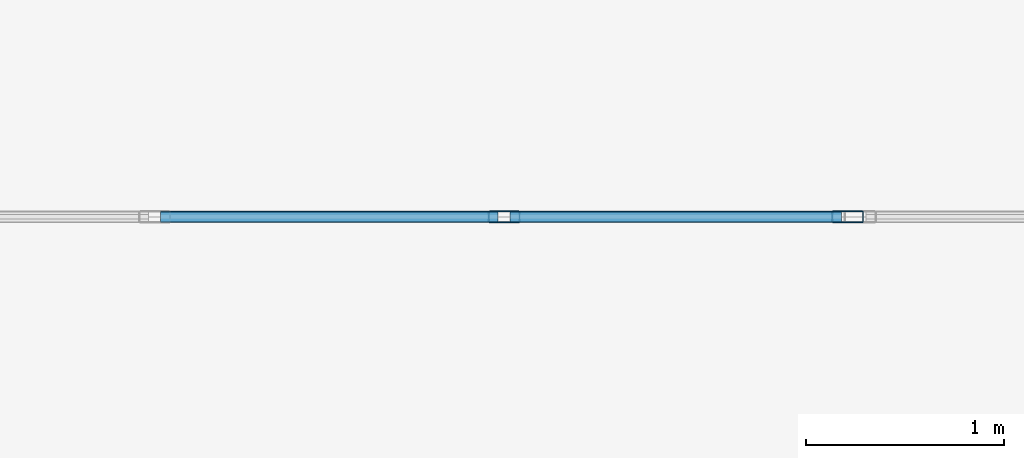
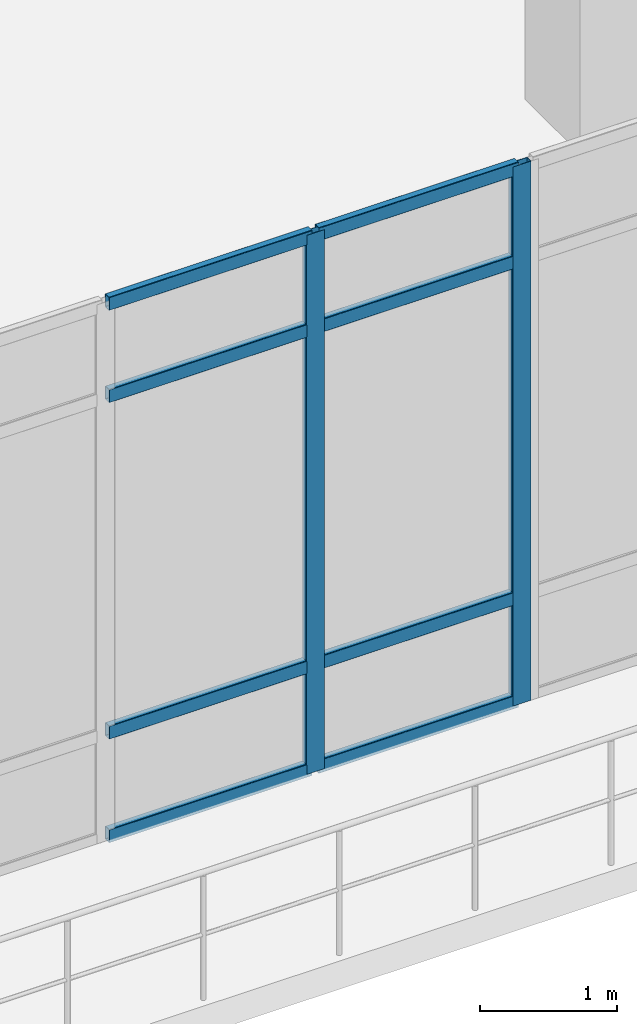
# One storey, part 11 of 124: 10 members, 1 element without a shape of its own.
"""IFC4 building model written with IfcOpenShell, lengths in metres."""

import ifcopenshell
import ifcopenshell.guid

model = None  # the IFC model being written
_history = None  # IfcOwnerHistory: only IFC2X3 demands one
_inside = {}  # id of a spatial element -> (the spatial element, [elements in it])
_under = {}  # id of a project, library or spatial element -> (it, [spatial elements below it])
_declared = {}  # id of a project -> (the project, [libraries it declares])
_typed = {}  # id of a type object -> (the type object, [elements of that type])
_made_of = {}  # id of a material, layer set ... -> (it, [elements and type objects made of it])


def new_model(schema):
    """Start an empty IFC model of exactly this schema.

    Asked for "IFC4X3", IfcOpenShell would pick the latest addendum, in which some entities
    have other attributes; the version numbers below select the first issue.
    IFC2X3 requires an IfcOwnerHistory on every rooted entity: one is made here for all.
    """
    global model, _history
    if schema == "IFC4X3":
        model = ifcopenshell.file(schema_version=(4, 3, 0, 0))
    else:
        model = ifcopenshell.file(schema=schema)
    _inside.clear()
    _under.clear()
    _declared.clear()
    _typed.clear()
    _made_of.clear()
    _history = None
    if model.schema == "IFC2X3":
        org = make("IfcOrganization", Name="unknown")
        user = make(
            "IfcPersonAndOrganization",
            ThePerson=make("IfcPerson", FamilyName="unknown"),
            TheOrganization=org,
        )
        app = make(
            "IfcApplication",
            ApplicationDeveloper=org,
            Version="unknown",
            ApplicationFullName="unknown",
            ApplicationIdentifier="unknown",
        )
        _history = make(
            "IfcOwnerHistory",
            OwningUser=user,
            OwningApplication=app,
            ChangeAction="ADDED",
            CreationDate=0,
        )
    return model


def make(cls, **values):
    """One entity of the class cls with the attributes given. An attribute that is None is left unset."""
    return model.create_entity(
        cls, **{name: value for name, value in values.items() if value is not None}
    )


def rooted(cls, **values):
    """An entity with a GlobalId (a new one), such as an element, a storey or a relation."""
    return make(cls, GlobalId=ifcopenshell.guid.new(), OwnerHistory=_history, **values)


def si_unit(unit_type, name, prefix=None):
    """IfcSIUnit, for example si_unit("LENGTHUNIT", "METRE", prefix="MILLI")."""
    return make("IfcSIUnit", UnitType=unit_type, Prefix=prefix, Name=name)


def derived_unit(unit_type, elements):
    """IfcDerivedUnit: a product of units, each with its exponent."""
    return make(
        "IfcDerivedUnit",
        Elements=[
            make("IfcDerivedUnitElement", Unit=unit, Exponent=power)
            for unit, power in elements
        ],
        UnitType=unit_type,
    )


def assignment(units):
    """IfcUnitAssignment: the units of a project."""
    return None if units is None else make("IfcUnitAssignment", Units=units)


def point(xyz):
    """IfcCartesianPoint."""
    return None if xyz is None else make("IfcCartesianPoint", Coordinates=xyz)


def direction(xyz):
    """IfcDirection."""
    return None if xyz is None else make("IfcDirection", DirectionRatios=xyz)


def frame(location, z_axis=None, x_axis=None):
    """IfcAxis2Placement3D, a coordinate frame: its origin and axes. An axis left out is left unset."""
    return make(
        "IfcAxis2Placement3D",
        Location=point(location),
        Axis=direction(z_axis),
        RefDirection=direction(x_axis),
    )


def frame_2d(location, x_axis=None):
    """IfcAxis2Placement2D, a coordinate frame in the plane: its origin and x axis."""
    return make(
        "IfcAxis2Placement2D", Location=point(location), RefDirection=direction(x_axis)
    )


def origin():
    """The frame at (0, 0, 0) with its axes left unset."""
    return frame((0.0, 0.0, 0.0))


def origin_2d():
    """The frame at (0, 0) in the plane with its x axis left unset."""
    return frame_2d((0.0, 0.0))


def place(relative_to, where):
    """IfcLocalPlacement: puts the frame where relative to a parent placement (None: the world)."""
    return make(
        "IfcLocalPlacement", PlacementRelTo=relative_to, RelativePlacement=where
    )


def context(
    kind, dimensions, precision=None, world=None, true_north=None, identifier=None
):
    """IfcGeometricRepresentationContext, for example the 3D "Model" context."""
    return make(
        "IfcGeometricRepresentationContext",
        ContextIdentifier=identifier,
        ContextType=kind,
        CoordinateSpaceDimension=dimensions,
        Precision=precision,
        WorldCoordinateSystem=world,
        TrueNorth=true_north,
    )


def subcontext(parent, identifier, kind, view, scale=None):
    """IfcGeometricRepresentationSubContext, for example "Body" below "Model"."""
    return make(
        "IfcGeometricRepresentationSubContext",
        ContextIdentifier=identifier,
        ContextType=kind,
        ParentContext=parent,
        TargetScale=scale,
        TargetView=view,
    )


def project(units=None, contexts=None):
    """IfcProject with its units and contexts."""
    return rooted(
        "IfcProject",
        Name="project",
        RepresentationContexts=contexts,
        UnitsInContext=assignment(units),
    )


def spatial(cls, under=None, at=None, **own):
    """A site, building, storey or space (cls), placed at a placement, below another one or the project."""
    s = rooted(cls, ObjectPlacement=at, **own)
    if under is not None:
        _under.setdefault(under.id(), (under, []))[1].append(s)
    return s


def profile(cls, at=None, kind="AREA", **sizes):
    """A parametric profile (cls). Its sizes go by their IFC names, for example OverallWidth=200.0."""
    return make(cls, ProfileType=kind, Position=at, **sizes)


def hollow_rectangle(**sizes):
    """IfcRectangleHollowProfileDef."""
    return profile("IfcRectangleHollowProfileDef", **sizes)


def extrude(swept, where, along, depth):
    """IfcExtrudedAreaSolid: the profile swept, set in the frame where, extruded along a direction by depth."""
    return make(
        "IfcExtrudedAreaSolid",
        SweptArea=swept,
        Position=where,
        ExtrudedDirection=direction(along),
        Depth=depth,
    )


def shape(context_of_items, identifier, shape_type, items):
    """IfcShapeRepresentation: the items that make up one representation, for example the "Body"."""
    return make(
        "IfcShapeRepresentation",
        ContextOfItems=context_of_items,
        RepresentationIdentifier=identifier,
        RepresentationType=shape_type,
        Items=items,
    )


def material(Name=None, Category=None):
    """IfcMaterial."""
    return make("IfcMaterial", Name=Name, Category=Category)


def layer(
    of_material, thickness, ventilated=None, Name=None, Category=None, Priority=None
):
    """IfcMaterialLayer: one layer of a wall or slab, of a material (None: an air gap)."""
    return make(
        "IfcMaterialLayer",
        Material=of_material,
        LayerThickness=thickness,
        IsVentilated=ventilated,
        Name=Name,
        Category=Category,
        Priority=Priority,
    )


def layer_set(layers, Name=None):
    """IfcMaterialLayerSet."""
    return make("IfcMaterialLayerSet", MaterialLayers=layers, LayerSetName=Name)


def material_profile(
    of_material, cross_section, Name=None, Category=None, Priority=None
):
    """IfcMaterialProfile: a cross section and its material."""
    return make(
        "IfcMaterialProfile",
        Name=Name,
        Material=of_material,
        Profile=cross_section,
        Priority=Priority,
        Category=Category,
    )


def profile_set(profiles, Name=None, composite=None):
    """IfcMaterialProfileSet."""
    return make(
        "IfcMaterialProfileSet",
        Name=Name,
        MaterialProfiles=profiles,
        CompositeProfile=composite,
    )


def made_of(thing, what):
    """Note that an element or type object is made of a material, layer set ...; save() writes the relation."""
    if what is not None:
        _made_of.setdefault(what.id(), (what, []))[1].append(thing)
    return thing


def type_object(cls, material=None, **own):
    """A type object (cls), such as IfcWallType, which elements share."""
    return made_of(rooted(cls, **own), material)


def element(
    cls,
    number,
    at=None,
    inside=None,
    cuts=None,
    type_object=None,
    material=None,
    context=None,
    identifier="Body",
    shape_type=None,
    held_by="IfcProductDefinitionShape",
    body=None,
    shapes=None,
    **own,
):
    """One element of the class cls, such as IfcWall. Its Tag is "e" and its number.

    at: its placement. inside: the storey or other place that contains it. cuts: it is an
    opening in that element (IfcRelVoidsElement). A single representation is given by context,
    identifier, shape_type and body (its items); several are given by shapes. held_by: the class
    of the entity that holds the representations. save() writes the other relations.
    """
    e = rooted(cls, Tag="e%d" % number, ObjectPlacement=at, **own)
    if body is not None:
        shapes = [shape(context, identifier, shape_type, body)]
    if shapes is not None:
        e.Representation = make(held_by, Representations=shapes)
    if inside is not None:
        _inside.setdefault(inside.id(), (inside, []))[1].append(e)
    if cuts is not None:
        rooted(
            "IfcRelVoidsElement", RelatingBuildingElement=cuts, RelatedOpeningElement=e
        )
    if type_object is not None:
        _typed.setdefault(type_object.id(), (type_object, []))[1].append(e)
    return made_of(e, material)


def aggregate(whole, parts):
    """IfcRelAggregates: a whole, such as a stair, and the parts it consists of."""
    return rooted("IfcRelAggregates", RelatingObject=whole, RelatedObjects=parts)


def save(model, path):
    """Write the relations noted so far, then the file.

    IfcRelAggregates (storeys below a building ...), IfcRelContainedInSpatialStructure (elements
    in a storey), IfcRelDefinesByType, IfcRelAssociatesMaterial and IfcRelDeclares: one each for
    every whole, place, type object, material and project.
    """
    for whole, parts in _under.values():
        aggregate(whole, parts)
    for where, things in _inside.values():
        rooted(
            "IfcRelContainedInSpatialStructure",
            RelatedElements=things,
            RelatingStructure=where,
        )
    for kind, things in _typed.values():
        rooted("IfcRelDefinesByType", RelatedObjects=things, RelatingType=kind)
    for what, things in _made_of.values():
        rooted("IfcRelAssociatesMaterial", RelatedObjects=things, RelatingMaterial=what)
    for by, libraries in _declared.values():
        rooted("IfcRelDeclares", RelatingContext=by, RelatedDefinitions=libraries)
    model.write(path)


model = new_model("IFC4")

# Units and contexts
model_context = context("Model", 3, precision=1e-05, world=origin(), true_north=direction((0.0, 1.0)))
body_context = subcontext(model_context, "Body", "Model", "MODEL_VIEW")
ifc_project = project(units=[si_unit("LENGTHUNIT", "METRE"), si_unit("AREAUNIT", "SQUARE_METRE"), si_unit("VOLUMEUNIT", "CUBIC_METRE"), si_unit("PLANEANGLEUNIT", "RADIAN"), si_unit("MASSUNIT", "GRAM", prefix="KILO"), derived_unit("THERMALTRANSMITTANCEUNIT", [(si_unit("MASSUNIT", "GRAM", prefix="KILO"), 1), (si_unit("TIMEUNIT", "SECOND"), -3), (si_unit("THERMODYNAMICTEMPERATUREUNIT", "KELVIN"), -1)])], contexts=[model_context])

# Site, building, storey
site_placement = place(None, origin())
site = spatial("IfcSite", under=ifc_project, at=site_placement, CompositionType="ELEMENT")
building_placement = place(site_placement, origin())
building = spatial("IfcBuilding", under=site, at=building_placement, Name="Qinzheling Arcade Emporium", CompositionType="ELEMENT")
storey_placement = place(building_placement, frame((0.0, 0.0, 16.5)))
storey = spatial("IfcBuildingStorey", under=building, at=storey_placement, Name="L04", CompositionType="ELEMENT", Elevation=16.5)

# Curtain wall, members
ifc_material_1 = material(Name="Anodised aluminium and solar-control double glazing", Category="aluminium")
ifc_layer = layer(ifc_material_1, 0.159912109375, Name="Anodised aluminium and solar-control double glazing", Category="aluminium")
ifc_layer_set = layer_set([ifc_layer], Name="Anodised aluminium and solar-control double glazing")
curtain_wall_type = type_object("IfcCurtainWallType", Name="Arcade Portal Glazed Curtain Wall", PredefinedType="NOTDEFINED", material=ifc_layer_set)
curtain_wall_placement = place(storey_placement, origin())
curtain_wall = element("IfcCurtainWall", 1, at=curtain_wall_placement, inside=storey, type_object=curtain_wall_type, Name="Curtain Wall CW-L04-222", PredefinedType="NOTDEFINED")
ifc_material_2 = material(Name="Anodised aluminium 6063-T6", Category="aluminium")
ifc_material_profile_1 = material_profile(ifc_material_2, hollow_rectangle(XDim=0.06005859375, YDim=0.159912109375, WallThickness=0.00390625, InnerFilletRadius=0.00390625, OuterFilletRadius=0.008056640625, at=origin_2d()), Name="RHS 160x60x4", Category="aluminium")
ifc_profile_set_1 = profile_set([ifc_material_profile_1], Name="Anodised aluminium 6063-T6")
member_type_1 = type_object("IfcMemberType", Name="Curtain Wall Mullion RHS160x60", PredefinedType="MULLION", material=ifc_profile_set_1)
member_1_placement = place(storey_placement, frame((47.947998046875, 2.199951171875, 0.0), z_axis=(0.0, 0.0, 1.0), x_axis=(0.0, -1.0, 0.0)))
member_1 = element("IfcMember", 2, at=member_1_placement, type_object=member_type_1, Name="CW05 mullion 1", PredefinedType="MULLION", context=body_context, shape_type="SweptSolid", body=[
    extrude(hollow_rectangle(XDim=0.06005859375, YDim=0.159912109375, WallThickness=0.00390625, InnerFilletRadius=0.00390625, OuterFilletRadius=0.008056640625, at=origin_2d()), origin(), (0.0, 0.0, 1.0), 4.7900390625),
])
member_2_placement = place(storey_placement, frame((46.214111328125, 2.199951171875, 0.0), z_axis=(0.0, 0.0, 1.0), x_axis=(0.0, -1.0, 0.0)))
member_2 = element("IfcMember", 3, at=member_2_placement, type_object=member_type_1, Name="CW05 mullion 2", PredefinedType="MULLION", context=body_context, shape_type="SweptSolid", body=[
    extrude(hollow_rectangle(XDim=0.06005859375, YDim=0.159912109375, WallThickness=0.00390625, InnerFilletRadius=0.00390625, OuterFilletRadius=0.008056640625, at=origin_2d()), origin(), (0.0, 0.0, 1.0), 4.7900390625),
])
ifc_material_profile_2 = material_profile(ifc_material_2, hollow_rectangle(XDim=0.06005859375, YDim=0.1201171875, WallThickness=0.00390625, InnerFilletRadius=0.00390625, OuterFilletRadius=0.008056640625, at=origin_2d()), Name="RHS 120x60x4", Category="aluminium")
ifc_profile_set_2 = profile_set([ifc_material_profile_2], Name="Anodised aluminium 6063-T6")
member_type_2 = type_object("IfcMemberType", Name="Curtain Wall Transom RHS120x60", PredefinedType="USERDEFINED", material=ifc_profile_set_2)
member_3_placement = place(storey_placement, frame((47.91796875, 2.199951171875, 0.030029296875), z_axis=(-1.0, 0.0, 0.0), x_axis=(0.0, -1.0, 0.0)))
member_3 = element("IfcMember", 4, at=member_3_placement, type_object=member_type_2, Name="CW05 transom 1.1", ObjectType="TRANSOM", PredefinedType="USERDEFINED", context=body_context, shape_type="SweptSolid", body=[
    extrude(hollow_rectangle(XDim=0.06005859375, YDim=0.1201171875, WallThickness=0.00390625, InnerFilletRadius=0.00390625, OuterFilletRadius=0.008056640625, at=origin_2d()), origin(), (0.0, 0.0, 1.0), 1.674072265625),
])
member_4_placement = place(storey_placement, frame((47.91796875, 2.199951171875, 0.949951171875), z_axis=(-1.0, 0.0, 0.0), x_axis=(0.0, -1.0, 0.0)))
member_4 = element("IfcMember", 5, at=member_4_placement, type_object=member_type_2, Name="CW05 transom 1.2", ObjectType="TRANSOM", PredefinedType="USERDEFINED", context=body_context, shape_type="SweptSolid", body=[
    extrude(hollow_rectangle(XDim=0.06005859375, YDim=0.1201171875, WallThickness=0.00390625, InnerFilletRadius=0.00390625, OuterFilletRadius=0.008056640625, at=origin_2d()), origin(), (0.0, 0.0, 1.0), 1.674072265625),
])
member_5_placement = place(storey_placement, frame((47.91796875, 2.199951171875, 3.93994140625), z_axis=(-1.0, 0.0, 0.0), x_axis=(0.0, -1.0, 0.0)))
member_5 = element("IfcMember", 6, at=member_5_placement, type_object=member_type_2, Name="CW05 transom 1.3", ObjectType="TRANSOM", PredefinedType="USERDEFINED", context=body_context, shape_type="SweptSolid", body=[
    extrude(hollow_rectangle(XDim=0.06005859375, YDim=0.1201171875, WallThickness=0.00390625, InnerFilletRadius=0.00390625, OuterFilletRadius=0.008056640625, at=origin_2d()), origin(), (0.0, 0.0, 1.0), 1.674072265625),
])
member_6_placement = place(storey_placement, frame((47.91796875, 2.199951171875, 4.760009765625), z_axis=(-1.0, 0.0, 0.0), x_axis=(0.0, -1.0, 0.0)))
member_6 = element("IfcMember", 7, at=member_6_placement, type_object=member_type_2, Name="CW05 transom 1.4", ObjectType="TRANSOM", PredefinedType="USERDEFINED", context=body_context, shape_type="SweptSolid", body=[
    extrude(hollow_rectangle(XDim=0.06005859375, YDim=0.1201171875, WallThickness=0.00390625, InnerFilletRadius=0.00390625, OuterFilletRadius=0.008056640625, at=origin_2d()), origin(), (0.0, 0.0, 1.0), 1.674072265625),
])
member_7_placement = place(storey_placement, frame((46.18408203125, 2.199951171875, 0.030029296875), z_axis=(-1.0, 0.0, 0.0), x_axis=(0.0, -1.0, 0.0)))
member_7 = element("IfcMember", 8, at=member_7_placement, type_object=member_type_2, Name="CW05 transom 2.1", ObjectType="TRANSOM", PredefinedType="USERDEFINED", context=body_context, shape_type="SweptSolid", body=[
    extrude(hollow_rectangle(XDim=0.06005859375, YDim=0.1201171875, WallThickness=0.00390625, InnerFilletRadius=0.00390625, OuterFilletRadius=0.008056640625, at=origin_2d()), origin(), (0.0, 0.0, 1.0), 1.7041015625),
])
member_8_placement = place(storey_placement, frame((46.18408203125, 2.199951171875, 0.949951171875), z_axis=(-1.0, 0.0, 0.0), x_axis=(0.0, -1.0, 0.0)))
member_8 = element("IfcMember", 9, at=member_8_placement, type_object=member_type_2, Name="CW05 transom 2.2", ObjectType="TRANSOM", PredefinedType="USERDEFINED", context=body_context, shape_type="SweptSolid", body=[
    extrude(hollow_rectangle(XDim=0.06005859375, YDim=0.1201171875, WallThickness=0.00390625, InnerFilletRadius=0.00390625, OuterFilletRadius=0.008056640625, at=origin_2d()), origin(), (0.0, 0.0, 1.0), 1.7041015625),
])
member_9_placement = place(storey_placement, frame((46.18408203125, 2.199951171875, 3.93994140625), z_axis=(-1.0, 0.0, 0.0), x_axis=(0.0, -1.0, 0.0)))
member_9 = element("IfcMember", 10, at=member_9_placement, type_object=member_type_2, Name="CW05 transom 2.3", ObjectType="TRANSOM", PredefinedType="USERDEFINED", context=body_context, shape_type="SweptSolid", body=[
    extrude(hollow_rectangle(XDim=0.06005859375, YDim=0.1201171875, WallThickness=0.00390625, InnerFilletRadius=0.00390625, OuterFilletRadius=0.008056640625, at=origin_2d()), origin(), (0.0, 0.0, 1.0), 1.7041015625),
])
member_10_placement = place(storey_placement, frame((46.18408203125, 2.199951171875, 4.760009765625), z_axis=(-1.0, 0.0, 0.0), x_axis=(0.0, -1.0, 0.0)))
member_10 = element("IfcMember", 11, at=member_10_placement, type_object=member_type_2, Name="CW05 transom 2.4", ObjectType="TRANSOM", PredefinedType="USERDEFINED", context=body_context, shape_type="SweptSolid", body=[
    extrude(hollow_rectangle(XDim=0.06005859375, YDim=0.1201171875, WallThickness=0.00390625, InnerFilletRadius=0.00390625, OuterFilletRadius=0.008056640625, at=origin_2d()), origin(), (0.0, 0.0, 1.0), 1.7041015625),
])
aggregate(curtain_wall, [member_1, member_2, member_3, member_4, member_5, member_6, member_7, member_8, member_9, member_10])

save(model, "model.ifc")
